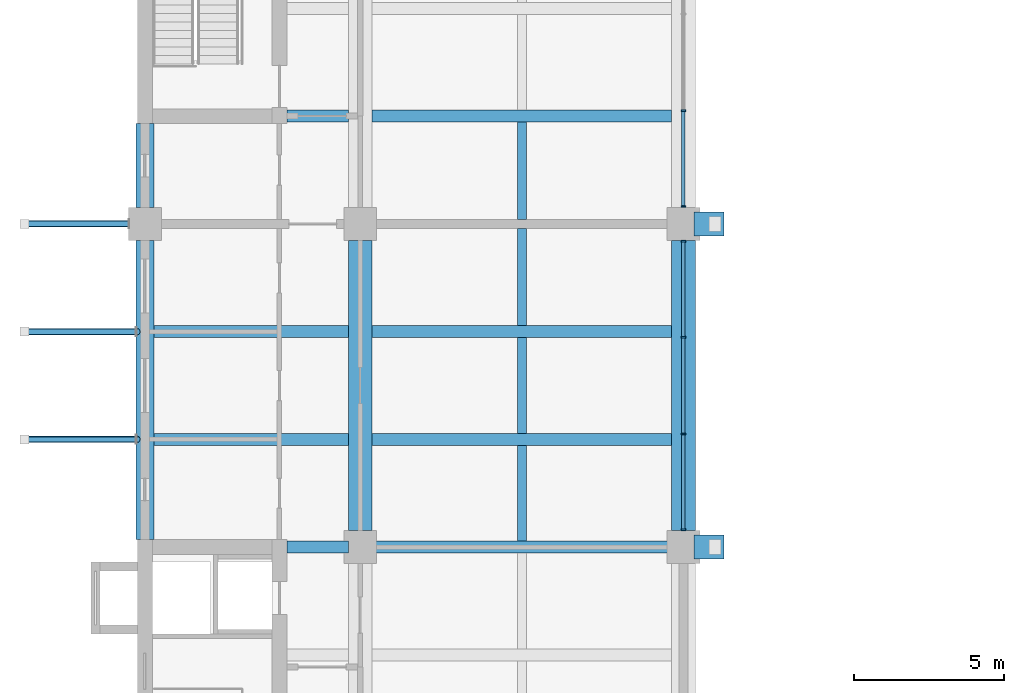
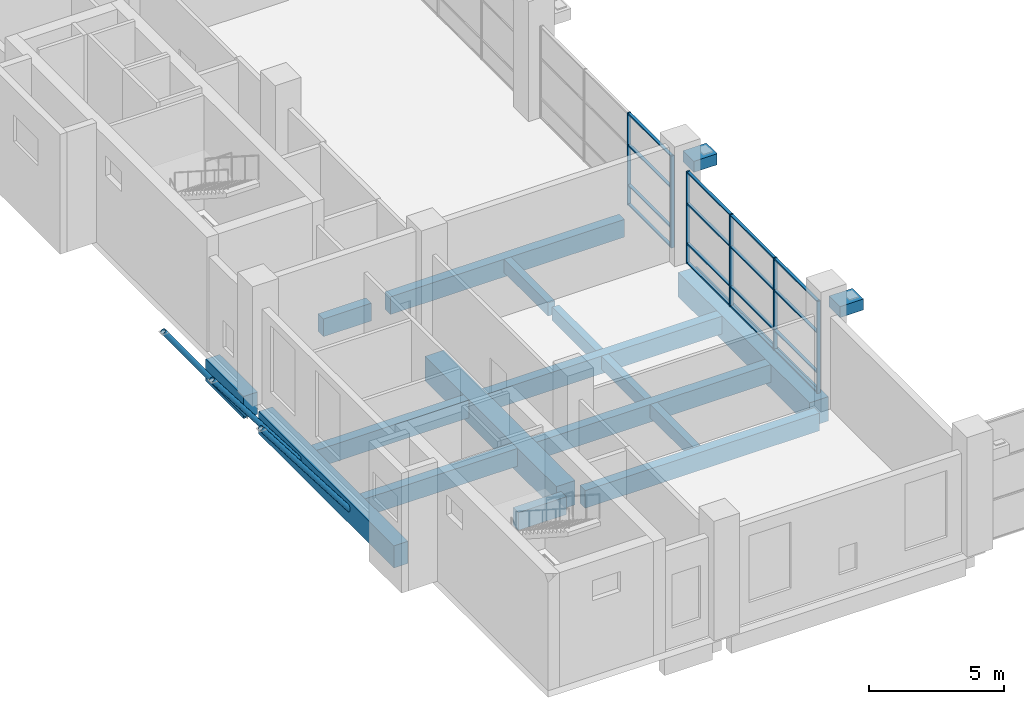
# One storey, part 3 of 38: 25 members, 18 beams, 2 elements without a shape of their own.
"""IFC4 building model written with IfcOpenShell, lengths in metres."""

import ifcopenshell
import ifcopenshell.guid

model = None  # the IFC model being written
_history = None  # IfcOwnerHistory: only IFC2X3 demands one
_inside = {}  # id of a spatial element -> (the spatial element, [elements in it])
_under = {}  # id of a project, library or spatial element -> (it, [spatial elements below it])
_declared = {}  # id of a project -> (the project, [libraries it declares])
_typed = {}  # id of a type object -> (the type object, [elements of that type])
_made_of = {}  # id of a material, layer set ... -> (it, [elements and type objects made of it])


def new_model(schema):
    """Start an empty IFC model of exactly this schema.

    Asked for "IFC4X3", IfcOpenShell would pick the latest addendum, in which some entities
    have other attributes; the version numbers below select the first issue.
    IFC2X3 requires an IfcOwnerHistory on every rooted entity: one is made here for all.
    """
    global model, _history
    if schema == "IFC4X3":
        model = ifcopenshell.file(schema_version=(4, 3, 0, 0))
    else:
        model = ifcopenshell.file(schema=schema)
    _inside.clear()
    _under.clear()
    _declared.clear()
    _typed.clear()
    _made_of.clear()
    _history = None
    if model.schema == "IFC2X3":
        org = make("IfcOrganization", Name="unknown")
        user = make(
            "IfcPersonAndOrganization",
            ThePerson=make("IfcPerson", FamilyName="unknown"),
            TheOrganization=org,
        )
        app = make(
            "IfcApplication",
            ApplicationDeveloper=org,
            Version="unknown",
            ApplicationFullName="unknown",
            ApplicationIdentifier="unknown",
        )
        _history = make(
            "IfcOwnerHistory",
            OwningUser=user,
            OwningApplication=app,
            ChangeAction="ADDED",
            CreationDate=0,
        )
    return model


def make(cls, **values):
    """One entity of the class cls with the attributes given. An attribute that is None is left unset."""
    return model.create_entity(
        cls, **{name: value for name, value in values.items() if value is not None}
    )


def rooted(cls, **values):
    """An entity with a GlobalId (a new one), such as an element, a storey or a relation."""
    return make(cls, GlobalId=ifcopenshell.guid.new(), OwnerHistory=_history, **values)


def si_unit(unit_type, name, prefix=None):
    """IfcSIUnit, for example si_unit("LENGTHUNIT", "METRE", prefix="MILLI")."""
    return make("IfcSIUnit", UnitType=unit_type, Prefix=prefix, Name=name)


def assignment(units):
    """IfcUnitAssignment: the units of a project."""
    return None if units is None else make("IfcUnitAssignment", Units=units)


def point(xyz):
    """IfcCartesianPoint."""
    return None if xyz is None else make("IfcCartesianPoint", Coordinates=xyz)


def direction(xyz):
    """IfcDirection."""
    return None if xyz is None else make("IfcDirection", DirectionRatios=xyz)


def frame(location, z_axis=None, x_axis=None):
    """IfcAxis2Placement3D, a coordinate frame: its origin and axes. An axis left out is left unset."""
    return make(
        "IfcAxis2Placement3D",
        Location=point(location),
        Axis=direction(z_axis),
        RefDirection=direction(x_axis),
    )


def frame_2d(location, x_axis=None):
    """IfcAxis2Placement2D, a coordinate frame in the plane: its origin and x axis."""
    return make(
        "IfcAxis2Placement2D", Location=point(location), RefDirection=direction(x_axis)
    )


def origin():
    """The frame at (0, 0, 0) with its axes left unset."""
    return frame((0.0, 0.0, 0.0))


def origin_2d():
    """The frame at (0, 0) in the plane with its x axis left unset."""
    return frame_2d((0.0, 0.0))


def place(relative_to, where):
    """IfcLocalPlacement: puts the frame where relative to a parent placement (None: the world)."""
    return make(
        "IfcLocalPlacement", PlacementRelTo=relative_to, RelativePlacement=where
    )


def context(
    kind, dimensions, precision=None, world=None, true_north=None, identifier=None
):
    """IfcGeometricRepresentationContext, for example the 3D "Model" context."""
    return make(
        "IfcGeometricRepresentationContext",
        ContextIdentifier=identifier,
        ContextType=kind,
        CoordinateSpaceDimension=dimensions,
        Precision=precision,
        WorldCoordinateSystem=world,
        TrueNorth=true_north,
    )


def subcontext(parent, identifier, kind, view, scale=None):
    """IfcGeometricRepresentationSubContext, for example "Body" below "Model"."""
    return make(
        "IfcGeometricRepresentationSubContext",
        ContextIdentifier=identifier,
        ContextType=kind,
        ParentContext=parent,
        TargetScale=scale,
        TargetView=view,
    )


def project(units=None, contexts=None):
    """IfcProject with its units and contexts."""
    return rooted(
        "IfcProject",
        Name="project",
        RepresentationContexts=contexts,
        UnitsInContext=assignment(units),
    )


def spatial(cls, under=None, at=None, **own):
    """A site, building, storey or space (cls), placed at a placement, below another one or the project."""
    s = rooted(cls, ObjectPlacement=at, **own)
    if under is not None:
        _under.setdefault(under.id(), (under, []))[1].append(s)
    return s


def profile(cls, at=None, kind="AREA", **sizes):
    """A parametric profile (cls). Its sizes go by their IFC names, for example OverallWidth=200.0."""
    return make(cls, ProfileType=kind, Position=at, **sizes)


def rectangle(**sizes):
    """IfcRectangleProfileDef."""
    return profile("IfcRectangleProfileDef", **sizes)


def hollow_circle(**sizes):
    """IfcCircleHollowProfileDef."""
    return profile("IfcCircleHollowProfileDef", **sizes)


def extrude(swept, where, along, depth):
    """IfcExtrudedAreaSolid: the profile swept, set in the frame where, extruded along a direction by depth."""
    return make(
        "IfcExtrudedAreaSolid",
        SweptArea=swept,
        Position=where,
        ExtrudedDirection=direction(along),
        Depth=depth,
    )


def shape(context_of_items, identifier, shape_type, items):
    """IfcShapeRepresentation: the items that make up one representation, for example the "Body"."""
    return make(
        "IfcShapeRepresentation",
        ContextOfItems=context_of_items,
        RepresentationIdentifier=identifier,
        RepresentationType=shape_type,
        Items=items,
    )


def material(Name=None, Category=None):
    """IfcMaterial."""
    return make("IfcMaterial", Name=Name, Category=Category)


def layer(
    of_material, thickness, ventilated=None, Name=None, Category=None, Priority=None
):
    """IfcMaterialLayer: one layer of a wall or slab, of a material (None: an air gap)."""
    return make(
        "IfcMaterialLayer",
        Material=of_material,
        LayerThickness=thickness,
        IsVentilated=ventilated,
        Name=Name,
        Category=Category,
        Priority=Priority,
    )


def layer_set(layers, Name=None):
    """IfcMaterialLayerSet."""
    return make("IfcMaterialLayerSet", MaterialLayers=layers, LayerSetName=Name)


def material_profile(
    of_material, cross_section, Name=None, Category=None, Priority=None
):
    """IfcMaterialProfile: a cross section and its material."""
    return make(
        "IfcMaterialProfile",
        Name=Name,
        Material=of_material,
        Profile=cross_section,
        Priority=Priority,
        Category=Category,
    )


def profile_set(profiles, Name=None, composite=None):
    """IfcMaterialProfileSet."""
    return make(
        "IfcMaterialProfileSet",
        Name=Name,
        MaterialProfiles=profiles,
        CompositeProfile=composite,
    )


def made_of(thing, what):
    """Note that an element or type object is made of a material, layer set ...; save() writes the relation."""
    if what is not None:
        _made_of.setdefault(what.id(), (what, []))[1].append(thing)
    return thing


def type_object(cls, material=None, **own):
    """A type object (cls), such as IfcWallType, which elements share."""
    return made_of(rooted(cls, **own), material)


def element(
    cls,
    number,
    at=None,
    inside=None,
    cuts=None,
    type_object=None,
    material=None,
    context=None,
    identifier="Body",
    shape_type=None,
    held_by="IfcProductDefinitionShape",
    body=None,
    shapes=None,
    **own,
):
    """One element of the class cls, such as IfcWall. Its Tag is "e" and its number.

    at: its placement. inside: the storey or other place that contains it. cuts: it is an
    opening in that element (IfcRelVoidsElement). A single representation is given by context,
    identifier, shape_type and body (its items); several are given by shapes. held_by: the class
    of the entity that holds the representations. save() writes the other relations.
    """
    e = rooted(cls, Tag="e%d" % number, ObjectPlacement=at, **own)
    if body is not None:
        shapes = [shape(context, identifier, shape_type, body)]
    if shapes is not None:
        e.Representation = make(held_by, Representations=shapes)
    if inside is not None:
        _inside.setdefault(inside.id(), (inside, []))[1].append(e)
    if cuts is not None:
        rooted(
            "IfcRelVoidsElement", RelatingBuildingElement=cuts, RelatedOpeningElement=e
        )
    if type_object is not None:
        _typed.setdefault(type_object.id(), (type_object, []))[1].append(e)
    return made_of(e, material)


def aggregate(whole, parts):
    """IfcRelAggregates: a whole, such as a stair, and the parts it consists of."""
    return rooted("IfcRelAggregates", RelatingObject=whole, RelatedObjects=parts)


def save(model, path):
    """Write the relations noted so far, then the file.

    IfcRelAggregates (storeys below a building ...), IfcRelContainedInSpatialStructure (elements
    in a storey), IfcRelDefinesByType, IfcRelAssociatesMaterial and IfcRelDeclares: one each for
    every whole, place, type object, material and project.
    """
    for whole, parts in _under.values():
        aggregate(whole, parts)
    for where, things in _inside.values():
        rooted(
            "IfcRelContainedInSpatialStructure",
            RelatedElements=things,
            RelatingStructure=where,
        )
    for kind, things in _typed.values():
        rooted("IfcRelDefinesByType", RelatedObjects=things, RelatingType=kind)
    for what, things in _made_of.values():
        rooted("IfcRelAssociatesMaterial", RelatedObjects=things, RelatingMaterial=what)
    for by, libraries in _declared.values():
        rooted("IfcRelDeclares", RelatingContext=by, RelatedDefinitions=libraries)
    model.write(path)


model = new_model("IFC4")

# Units and contexts
model_context = context("Model", 3, precision=1e-05, world=origin(), true_north=direction((0.0, 1.0)))
body_context = subcontext(model_context, "Body", "Model", "MODEL_VIEW")
ifc_project = project(units=[si_unit("LENGTHUNIT", "METRE"), si_unit("AREAUNIT", "SQUARE_METRE"), si_unit("VOLUMEUNIT", "CUBIC_METRE"), si_unit("PLANEANGLEUNIT", "RADIAN"), si_unit("MASSUNIT", "GRAM", prefix="KILO")], contexts=[model_context])

# Site, building, storey
site_placement = place(None, origin())
site = spatial("IfcSite", under=ifc_project, at=site_placement, CompositionType="ELEMENT")
building_placement = place(site_placement, origin())
building = spatial("IfcBuilding", under=site, at=building_placement, Name="Basin Gate Institute", CompositionType="ELEMENT")
storey_placement = place(building_placement, frame((0.0, 0.0, 16.800048828125)))
storey = spatial("IfcBuildingStorey", under=building, at=storey_placement, Name="L03", CompositionType="ELEMENT", Elevation=16.800048828125)

# Beams
ifc_material_1 = material(Name="Concrete 40 MPa", Category="concrete")
ifc_material_profile_1 = material_profile(ifc_material_1, rectangle(XDim=0.39990234375, YDim=0.800048828125, at=origin_2d()), Name="Beam B2 400 x 800")
ifc_profile_set_1 = profile_set([ifc_material_profile_1], Name="Concrete 40 MPa")
beam_type_1 = type_object("IfcBeamType", Name="Beam B2 R180", PredefinedType="BEAM", material=ifc_profile_set_1)
beam_1_placement = place(storey_placement, frame((68.800048828125, 45.89990234375, -0.699951171875), z_axis=(1.0, 0.0, 0.0), x_axis=(0.0, 1.0, 0.0)))
element("IfcBeam", 1, at=beam_1_placement, inside=storey, type_object=beam_type_1, material=ifc_profile_set_1, Name="BEAM/L03/W/EW/04", PredefinedType="BEAM", context=body_context, shape_type="SweptSolid", body=[
    extrude(rectangle(XDim=0.39990234375, YDim=0.800048828125, at=origin_2d()), origin(), (0.0, 0.0, 1.0), 10.0),
])
beam_2_placement = place(storey_placement, frame((65.949951171875, 45.89990234375, -0.699951171875), z_axis=(1.0, 0.0, 0.0), x_axis=(0.0, 1.0, 0.0)))
element("IfcBeam", 2, at=beam_2_placement, inside=storey, type_object=beam_type_1, material=ifc_profile_set_1, Name="BEAM/L03/W/CORR/04", PredefinedType="BEAM", context=body_context, shape_type="SweptSolid", body=[
    extrude(rectangle(XDim=0.39990234375, YDim=0.800048828125, at=origin_2d()), origin(), (0.0, 0.0, 1.0), 2.050048828125),
])
beam_3_placement = place(storey_placement, frame((68.800048828125, 49.5, -0.699951171875), z_axis=(1.0, 0.0, 0.0), x_axis=(0.0, 1.0, 0.0)))
element("IfcBeam", 3, at=beam_3_placement, inside=storey, type_object=beam_type_1, material=ifc_profile_set_1, Name="BEAM/L03/W/EW/05", PredefinedType="BEAM", context=body_context, shape_type="SweptSolid", body=[
    extrude(rectangle(XDim=0.39990234375, YDim=0.800048828125, at=origin_2d()), origin(), (0.0, 0.0, 1.0), 10.0),
])
beam_4_placement = place(storey_placement, frame((61.5, 49.5, -0.699951171875), z_axis=(1.0, 0.0, 0.0), x_axis=(0.0, 1.0, 0.0)))
element("IfcBeam", 4, at=beam_4_placement, inside=storey, type_object=beam_type_1, material=ifc_profile_set_1, Name="BEAM/L03/W/OUT/05", PredefinedType="BEAM", context=body_context, shape_type="SweptSolid", body=[
    extrude(rectangle(XDim=0.39990234375, YDim=0.800048828125, at=origin_2d()), origin(), (0.0, 0.0, 1.0), 6.5),
])
beam_5_placement = place(storey_placement, frame((68.800048828125, 53.10009765625, -0.699951171875), z_axis=(1.0, 0.0, 0.0), x_axis=(0.0, 1.0, 0.0)))
element("IfcBeam", 5, at=beam_5_placement, inside=storey, type_object=beam_type_1, material=ifc_profile_set_1, Name="BEAM/L03/W/EW/06", PredefinedType="BEAM", context=body_context, shape_type="SweptSolid", body=[
    extrude(rectangle(XDim=0.39990234375, YDim=0.800048828125, at=origin_2d()), origin(), (0.0, 0.0, 1.0), 10.0),
])
beam_6_placement = place(storey_placement, frame((61.5, 53.10009765625, -0.699951171875), z_axis=(1.0, 0.0, 0.0), x_axis=(0.0, 1.0, 0.0)))
element("IfcBeam", 6, at=beam_6_placement, inside=storey, type_object=beam_type_1, material=ifc_profile_set_1, Name="BEAM/L03/W/OUT/06", PredefinedType="BEAM", context=body_context, shape_type="SweptSolid", body=[
    extrude(rectangle(XDim=0.39990234375, YDim=0.800048828125, at=origin_2d()), origin(), (0.0, 0.0, 1.0), 6.5),
])
beam_7_placement = place(storey_placement, frame((68.800048828125, 60.300048828125, -0.699951171875), z_axis=(1.0, 0.0, 0.0), x_axis=(0.0, 1.0, 0.0)))
element("IfcBeam", 7, at=beam_7_placement, inside=storey, type_object=beam_type_1, material=ifc_profile_set_1, Name="BEAM/L03/W/EW/08", PredefinedType="BEAM", context=body_context, shape_type="SweptSolid", body=[
    extrude(rectangle(XDim=0.39990234375, YDim=0.800048828125, at=origin_2d()), origin(), (0.0, 0.0, 1.0), 10.0),
])
beam_8_placement = place(storey_placement, frame((65.949951171875, 60.300048828125, -0.699951171875), z_axis=(1.0, 0.0, 0.0), x_axis=(0.0, 1.0, 0.0)))
element("IfcBeam", 8, at=beam_8_placement, inside=storey, type_object=beam_type_1, material=ifc_profile_set_1, Name="BEAM/L03/W/CORR/08", PredefinedType="BEAM", context=body_context, shape_type="SweptSolid", body=[
    extrude(rectangle(XDim=0.39990234375, YDim=0.800048828125, at=origin_2d()), origin(), (0.0, 0.0, 1.0), 2.050048828125),
])
ifc_material_2 = material(Name="Concrete 40 MPa", Category="concrete")
ifc_material_profile_2 = material_profile(ifc_material_2, rectangle(XDim=0.800048828125, YDim=0.5, at=origin_2d()), Name="Beam CB1 800 x 500")
ifc_profile_set_2 = profile_set([ifc_material_profile_2], Name="Concrete 40 MPa")
beam_type_2 = type_object("IfcBeamType", Name="Beam CB1 R180", PredefinedType="BEAM", material=ifc_profile_set_2)
for number, where, z_axis, x_axis, name in (
    (9, (79.550048828125, 45.89990234375, 4.099853515625), (1.0, 0.0, 0.0), (0.0, 1.0, 0.0), "Atrium shell corbel R180 2W"),
    (10, (79.550048828125, 56.699951171875, 4.099853515625), (1.0, 0.0, 0.0), (0.0, 1.0, 0.0), "Atrium shell corbel R180 3W"),
):
    element("IfcBeam", number, at=place(storey_placement, frame(where, z_axis=z_axis, x_axis=x_axis)), inside=storey, type_object=beam_type_2, material=ifc_profile_set_2, Name=name, PredefinedType="BEAM", context=body_context, shape_type="SweptSolid", body=[
        extrude(rectangle(XDim=0.800048828125, YDim=0.5, at=origin_2d()), origin(), (0.0, 0.0, 1.0), 1.0),
    ])

# Members
ifc_material_3 = material(Name="Structural steel SN490", Category="steel")
ifc_material_profile_3 = material_profile(ifc_material_3, hollow_circle(Radius=0.109619140625, WallThickness=0.008056640625, at=origin_2d()), Name="CHS219x8")
ifc_profile_set_3 = profile_set([ifc_material_profile_3], Name="Structural steel SN490")
member_type_1 = type_object("IfcMemberType", Name="Capsule bracket TD3", PredefinedType="BRACE", material=ifc_profile_set_3)
for number, where, z_axis, x_axis, name in (
    (11, (60.949951171875, 49.5, -0.699951171875), (-0.605088195885, 0.0, 0.796158448552), (0.0, -1.0, 0.0), "Tray bracket W L04 tray 1.1"),
    (12, (60.949951171875, 53.10009765625, -0.699951171875), (-0.605088195885, 0.0, 0.796158448552), (0.0, -1.0, 0.0), "Tray bracket W L04 tray 1.2"),
):
    element("IfcMember", number, at=place(storey_placement, frame(where, z_axis=z_axis, x_axis=x_axis)), inside=storey, type_object=member_type_1, material=ifc_profile_set_3, Name=name, PredefinedType="BRACE", context=body_context, shape_type="SweptSolid", body=[
        extrude(hollow_circle(Radius=0.109619140625, WallThickness=0.008056640625, at=origin_2d()), origin(), (0.0, 0.0, 1.0), 6.2802734375),
    ])
member_1_placement = place(storey_placement, frame((60.699951171875, 56.699951171875, -0.699951171875), z_axis=(-0.578927213056, 0.0, 0.815379225871), x_axis=(0.0, -1.0, 0.0)))
element("IfcMember", 13, at=member_1_placement, inside=storey, type_object=member_type_1, material=ifc_profile_set_3, Name="Tray bracket W L04 tray 1.3", PredefinedType="BRACE", context=body_context, shape_type="SweptSolid", body=[
    extrude(hollow_circle(Radius=0.109619140625, WallThickness=0.008056640625, at=origin_2d()), origin(), (0.0, 0.0, 1.0), 6.132080078125),
])

# Beams
ifc_material_4 = material(Name="Concrete 50 MPa", Category="concrete")
ifc_material_profile_4 = material_profile(ifc_material_4, rectangle(XDim=0.60009765625, YDim=1.0, at=origin_2d()), Name="Edge beam EB2 600 x 1000")
ifc_profile_set_4 = profile_set([ifc_material_profile_4], Name="Concrete 50 MPa")
beam_type_3 = type_object("IfcBeamType", Name="Edge beam EB2 R180", PredefinedType="SPANDREL", material=ifc_profile_set_4)
beam_9_placement = place(storey_placement, frame((61.199951171875, 46.14990234375, -0.800048828125), z_axis=(0.0, 1.0, 0.0), x_axis=(-1.0, 0.0, 0.0)))
element("IfcBeam", 14, at=beam_9_placement, inside=storey, type_object=beam_type_3, material=ifc_profile_set_4, Name="BEAM/L03/W/EDGE/1", PredefinedType="SPANDREL", context=body_context, shape_type="SweptSolid", body=[
    extrude(rectangle(XDim=0.60009765625, YDim=1.0, at=origin_2d()), origin(), (0.0, 0.0, 1.0), 10.0),
])
ifc_material_5 = material(Name="Concrete 50 MPa", Category="concrete")
ifc_material_profile_5 = material_profile(ifc_material_5, rectangle(XDim=0.60009765625, YDim=1.0, at=origin_2d()), Name="Edge return beam EB4 600 x 1000")
ifc_profile_set_5 = profile_set([ifc_material_profile_5], Name="Concrete 50 MPa")
beam_type_4 = type_object("IfcBeamType", Name="Edge return beam EB4 R180", PredefinedType="SPANDREL", material=ifc_profile_set_5)
beam_10_placement = place(storey_placement, frame((61.199951171875, 57.25, -0.800048828125), z_axis=(0.0, 1.0, 0.0), x_axis=(-1.0, 0.0, 0.0)))
element("IfcBeam", 15, at=beam_10_placement, inside=storey, type_object=beam_type_4, material=ifc_profile_set_5, Name="BEAM/L03/W/EDGE/2", PredefinedType="SPANDREL", context=body_context, shape_type="SweptSolid", body=[
    extrude(rectangle(XDim=0.60009765625, YDim=1.0, at=origin_2d()), origin(), (0.0, 0.0, 1.0), 2.800048828125),
])
ifc_material_6 = material(Name="Concrete 50 MPa", Category="concrete")
ifc_material_profile_6 = material_profile(ifc_material_6, rectangle(XDim=0.800048828125, YDim=1.10009765625, at=origin_2d()), Name="Girder G2 800 x 1100")
ifc_profile_set_6 = profile_set([ifc_material_profile_6], Name="Concrete 50 MPa")
beam_type_5 = type_object("IfcBeamType", Name="Girder G2 R180", PredefinedType="BEAM", material=ifc_profile_set_6)
for number, where, z_axis, x_axis, name in (
    (16, (68.39990234375, 46.449951171875, -0.85009765625), (0.0, 1.0, 0.0), (-1.0, 0.0, 0.0), "GIR/L03/W5/2"),
    (17, (79.199951171875, 46.449951171875, -0.85009765625), (0.0, 1.0, 0.0), (-1.0, 0.0, 0.0), "GIR/L03/W6/2"),
):
    element("IfcBeam", number, at=place(storey_placement, frame(where, z_axis=z_axis, x_axis=x_axis)), inside=storey, type_object=beam_type_5, material=ifc_profile_set_6, Name=name, PredefinedType="BEAM", context=body_context, shape_type="SweptSolid", body=[
        extrude(rectangle(XDim=0.800048828125, YDim=1.10009765625, at=origin_2d()), origin(), (0.0, 0.0, 1.0), 9.699951171875),
    ])

# Curtain wall, members
ifc_material_7 = material(Name="Fire-resistant glazing in steel-free frame", Category="steel")
ifc_layer = layer(ifc_material_7, 0.199951171875)
ifc_layer_set = layer_set([ifc_layer], Name="Fire-resistant glazing in steel-free frame")
curtain_wall_type = type_object("IfcCurtainWallType", Name="Atrium rated curtain wall CW3", PredefinedType="NOTDEFINED", material=ifc_layer_set)
curtain_wall_1_placement = place(storey_placement, origin())
curtain_wall_1 = element("IfcCurtainWall", 18, at=curtain_wall_1_placement, inside=storey, type_object=curtain_wall_type, material=ifc_layer_set, Name="Atrium rated curtain wall W wing atrium bay 2 L03", PredefinedType="NOTDEFINED")
ifc_material_8 = material(Name="Aluminium", Category="aluminium")
ifc_material_profile_7 = material_profile(ifc_material_8, rectangle(XDim=0.14990234375, YDim=0.06005859375, at=origin_2d()), Name="Mullion MU3 150 x 60")
ifc_profile_set_7 = profile_set([ifc_material_profile_7], Name="Aluminium")
member_type_2 = type_object("IfcMemberType", Name="Mullion MU3", PredefinedType="MULLION", material=ifc_profile_set_7)
member_2_placement = place(storey_placement, frame((79.199951171875, 46.47998046875, 0.0), z_axis=(0.0, 0.0, 1.0), x_axis=(-1.0, 0.0, 0.0)))
member_2 = element("IfcMember", 19, at=member_2_placement, type_object=member_type_2, material=ifc_profile_set_7, Name="CW3 mullion 1", PredefinedType="MULLION", context=body_context, shape_type="SweptSolid", body=[
    extrude(rectangle(XDim=0.14990234375, YDim=0.06005859375, at=origin_2d()), origin(), (0.0, 0.0, 1.0), 4.14990234375),
])
member_3_placement = place(storey_placement, frame((79.199951171875, 49.683349609375, 0.0), z_axis=(0.0, 0.0, 1.0), x_axis=(-1.0, 0.0, 0.0)))
member_3 = element("IfcMember", 20, at=member_3_placement, type_object=member_type_2, material=ifc_profile_set_7, Name="CW3 mullion 2", PredefinedType="MULLION", context=body_context, shape_type="SweptSolid", body=[
    extrude(rectangle(XDim=0.14990234375, YDim=0.06005859375, at=origin_2d()), origin(), (0.0, 0.0, 1.0), 4.14990234375),
])
member_4_placement = place(storey_placement, frame((79.199951171875, 52.916748046875, 0.0), z_axis=(0.0, 0.0, 1.0), x_axis=(-1.0, 0.0, 0.0)))
member_4 = element("IfcMember", 21, at=member_4_placement, type_object=member_type_2, material=ifc_profile_set_7, Name="CW3 mullion 3", PredefinedType="MULLION", context=body_context, shape_type="SweptSolid", body=[
    extrude(rectangle(XDim=0.14990234375, YDim=0.06005859375, at=origin_2d()), origin(), (0.0, 0.0, 1.0), 4.14990234375),
])
member_5_placement = place(storey_placement, frame((79.199951171875, 56.1201171875, 0.0), z_axis=(0.0, 0.0, 1.0), x_axis=(-1.0, 0.0, 0.0)))
member_5 = element("IfcMember", 22, at=member_5_placement, type_object=member_type_2, material=ifc_profile_set_7, Name="CW3 mullion 4", PredefinedType="MULLION", context=body_context, shape_type="SweptSolid", body=[
    extrude(rectangle(XDim=0.14990234375, YDim=0.06005859375, at=origin_2d()), origin(), (0.0, 0.0, 1.0), 4.14990234375),
])

curtain_wall_2_placement = place(storey_placement, origin())
curtain_wall_2 = element("IfcCurtainWall", 23, at=curtain_wall_2_placement, inside=storey, type_object=curtain_wall_type, material=ifc_layer_set, Name="Atrium rated curtain wall W wing atrium bay 3 L03", PredefinedType="NOTDEFINED")
member_6_placement = place(storey_placement, frame((79.199951171875, 57.280029296875, 0.0), z_axis=(0.0, 0.0, 1.0), x_axis=(-1.0, 0.0, 0.0)))
member_6 = element("IfcMember", 24, at=member_6_placement, type_object=member_type_2, material=ifc_profile_set_7, Name="CW3 mullion 1", PredefinedType="MULLION", context=body_context, shape_type="SweptSolid", body=[
    extrude(rectangle(XDim=0.14990234375, YDim=0.06005859375, at=origin_2d()), origin(), (0.0, 0.0, 1.0), 4.14990234375),
])
member_7_placement = place(storey_placement, frame((79.199951171875, 60.4833984375, 0.0), z_axis=(0.0, 0.0, 1.0), x_axis=(-1.0, 0.0, 0.0)))
member_7 = element("IfcMember", 25, at=member_7_placement, type_object=member_type_2, material=ifc_profile_set_7, Name="CW3 mullion 2", PredefinedType="MULLION", context=body_context, shape_type="SweptSolid", body=[
    extrude(rectangle(XDim=0.14990234375, YDim=0.06005859375, at=origin_2d()), origin(), (0.0, 0.0, 1.0), 4.14990234375),
])

# Beams
ifc_material_9 = material(Name="Concrete 40 MPa", Category="concrete")
ifc_material_profile_8 = material_profile(ifc_material_9, rectangle(XDim=0.300048828125, YDim=0.60009765625, at=origin_2d()), Name="Rib R2 300 x 600")
ifc_profile_set_8 = profile_set([ifc_material_profile_8], Name="Concrete 40 MPa")
beam_type_6 = type_object("IfcBeamType", Name="Rib R2 R180", PredefinedType="JOIST", material=ifc_profile_set_8)
for number, where, z_axis, x_axis, name in (
    (26, (73.800048828125, 46.10009765625, -0.60009765625), (0.0, 1.0, 0.0), (-1.0, 0.0, 0.0), "BEAM/L03/W/RIB/04"),
    (27, (73.800048828125, 49.699951171875, -0.60009765625), (0.0, 1.0, 0.0), (-1.0, 0.0, 0.0), "BEAM/L03/W/RIB/05"),
):
    element("IfcBeam", number, at=place(storey_placement, frame(where, z_axis=z_axis, x_axis=x_axis)), inside=storey, type_object=beam_type_6, material=ifc_profile_set_8, Name=name, PredefinedType="JOIST", context=body_context, shape_type="SweptSolid", body=[
        extrude(rectangle(XDim=0.300048828125, YDim=0.60009765625, at=origin_2d()), origin(), (0.0, 0.0, 1.0), 3.199951171875),
    ])
for number, where, z_axis, x_axis, name in (
    (28, (73.800048828125, 53.300048828125, -0.60009765625), (0.0, 1.0, 0.0), (-1.0, 0.0, 0.0), "BEAM/L03/W/RIB/06"),
    (29, (73.800048828125, 56.85009765625, -0.60009765625), (0.0, 1.0, 0.0), (-1.0, 0.0, 0.0), "BEAM/L03/W/RIB/07"),
):
    element("IfcBeam", number, at=place(storey_placement, frame(where, z_axis=z_axis, x_axis=x_axis)), inside=storey, type_object=beam_type_6, material=ifc_profile_set_8, Name=name, PredefinedType="JOIST", context=body_context, shape_type="SweptSolid", body=[
        extrude(rectangle(XDim=0.300048828125, YDim=0.60009765625, at=origin_2d()), origin(), (0.0, 0.0, 1.0), 3.25),
    ])

# Member
ifc_material_10 = material(Name="Aluminium", Category="aluminium")
ifc_material_profile_9 = material_profile(ifc_material_10, rectangle(XDim=0.1201171875, YDim=0.06005859375, at=origin_2d()), Name="Transom TR3 120 x 60")
ifc_profile_set_9 = profile_set([ifc_material_profile_9], Name="Aluminium")
member_type_3 = type_object("IfcMemberType", Name="Transom TR3", PredefinedType="USERDEFINED", material=ifc_profile_set_9)
member_8_placement = place(storey_placement, frame((79.199951171875, 46.510009765625, 0.030029296875), z_axis=(0.0, 1.0, 0.0), x_axis=(-1.0, 0.0, 0.0)))
member_8 = element("IfcMember", 30, at=member_8_placement, type_object=member_type_3, material=ifc_profile_set_9, Name="CW3 transom 1.1", ObjectType="TRANSOM", PredefinedType="USERDEFINED", context=body_context, shape_type="SweptSolid", body=[
    extrude(rectangle(XDim=0.1201171875, YDim=0.06005859375, at=origin_2d()), origin(), (0.0, 0.0, 1.0), 3.143310546875),
])

member_9_placement = place(storey_placement, frame((79.199951171875, 46.510009765625, 0.89990234375), z_axis=(0.0, 1.0, 0.0), x_axis=(-1.0, 0.0, 0.0)))
member_9 = element("IfcMember", 31, at=member_9_placement, type_object=member_type_3, material=ifc_profile_set_9, Name="CW3 transom 1.2", ObjectType="TRANSOM", PredefinedType="USERDEFINED", context=body_context, shape_type="SweptSolid", body=[
    extrude(rectangle(XDim=0.1201171875, YDim=0.06005859375, at=origin_2d()), origin(), (0.0, 0.0, 1.0), 3.143310546875),
])

member_10_placement = place(storey_placement, frame((79.199951171875, 46.510009765625, 2.699951171875), z_axis=(0.0, 1.0, 0.0), x_axis=(-1.0, 0.0, 0.0)))
member_10 = element("IfcMember", 32, at=member_10_placement, type_object=member_type_3, material=ifc_profile_set_9, Name="CW3 transom 1.3", ObjectType="TRANSOM", PredefinedType="USERDEFINED", context=body_context, shape_type="SweptSolid", body=[
    extrude(rectangle(XDim=0.1201171875, YDim=0.06005859375, at=origin_2d()), origin(), (0.0, 0.0, 1.0), 3.143310546875),
])

member_11_placement = place(storey_placement, frame((79.199951171875, 46.510009765625, 4.119873046875), z_axis=(0.0, 1.0, 0.0), x_axis=(-1.0, 0.0, 0.0)))
member_11 = element("IfcMember", 33, at=member_11_placement, type_object=member_type_3, material=ifc_profile_set_9, Name="CW3 transom 1.4", ObjectType="TRANSOM", PredefinedType="USERDEFINED", context=body_context, shape_type="SweptSolid", body=[
    extrude(rectangle(XDim=0.1201171875, YDim=0.06005859375, at=origin_2d()), origin(), (0.0, 0.0, 1.0), 3.143310546875),
])

member_12_placement = place(storey_placement, frame((79.199951171875, 49.71337890625, 0.030029296875), z_axis=(0.0, 1.0, 0.0), x_axis=(-1.0, 0.0, 0.0)))
member_12 = element("IfcMember", 34, at=member_12_placement, type_object=member_type_3, material=ifc_profile_set_9, Name="CW3 transom 2.1", ObjectType="TRANSOM", PredefinedType="USERDEFINED", context=body_context, shape_type="SweptSolid", body=[
    extrude(rectangle(XDim=0.1201171875, YDim=0.06005859375, at=origin_2d()), origin(), (0.0, 0.0, 1.0), 3.17333984375),
])

member_13_placement = place(storey_placement, frame((79.199951171875, 49.71337890625, 0.89990234375), z_axis=(0.0, 1.0, 0.0), x_axis=(-1.0, 0.0, 0.0)))
member_13 = element("IfcMember", 35, at=member_13_placement, type_object=member_type_3, material=ifc_profile_set_9, Name="CW3 transom 2.2", ObjectType="TRANSOM", PredefinedType="USERDEFINED", context=body_context, shape_type="SweptSolid", body=[
    extrude(rectangle(XDim=0.1201171875, YDim=0.06005859375, at=origin_2d()), origin(), (0.0, 0.0, 1.0), 3.17333984375),
])

member_14_placement = place(storey_placement, frame((79.199951171875, 49.71337890625, 2.699951171875), z_axis=(0.0, 1.0, 0.0), x_axis=(-1.0, 0.0, 0.0)))
member_14 = element("IfcMember", 36, at=member_14_placement, type_object=member_type_3, material=ifc_profile_set_9, Name="CW3 transom 2.3", ObjectType="TRANSOM", PredefinedType="USERDEFINED", context=body_context, shape_type="SweptSolid", body=[
    extrude(rectangle(XDim=0.1201171875, YDim=0.06005859375, at=origin_2d()), origin(), (0.0, 0.0, 1.0), 3.17333984375),
])

member_15_placement = place(storey_placement, frame((79.199951171875, 49.71337890625, 4.119873046875), z_axis=(0.0, 1.0, 0.0), x_axis=(-1.0, 0.0, 0.0)))
member_15 = element("IfcMember", 37, at=member_15_placement, type_object=member_type_3, material=ifc_profile_set_9, Name="CW3 transom 2.4", ObjectType="TRANSOM", PredefinedType="USERDEFINED", context=body_context, shape_type="SweptSolid", body=[
    extrude(rectangle(XDim=0.1201171875, YDim=0.06005859375, at=origin_2d()), origin(), (0.0, 0.0, 1.0), 3.17333984375),
])

member_16_placement = place(storey_placement, frame((79.199951171875, 52.94677734375, 0.030029296875), z_axis=(0.0, 1.0, 0.0), x_axis=(-1.0, 0.0, 0.0)))
member_16 = element("IfcMember", 38, at=member_16_placement, type_object=member_type_3, material=ifc_profile_set_9, Name="CW3 transom 3.1", ObjectType="TRANSOM", PredefinedType="USERDEFINED", context=body_context, shape_type="SweptSolid", body=[
    extrude(rectangle(XDim=0.1201171875, YDim=0.06005859375, at=origin_2d()), origin(), (0.0, 0.0, 1.0), 3.143310546875),
])

member_17_placement = place(storey_placement, frame((79.199951171875, 52.94677734375, 0.89990234375), z_axis=(0.0, 1.0, 0.0), x_axis=(-1.0, 0.0, 0.0)))
member_17 = element("IfcMember", 39, at=member_17_placement, type_object=member_type_3, material=ifc_profile_set_9, Name="CW3 transom 3.2", ObjectType="TRANSOM", PredefinedType="USERDEFINED", context=body_context, shape_type="SweptSolid", body=[
    extrude(rectangle(XDim=0.1201171875, YDim=0.06005859375, at=origin_2d()), origin(), (0.0, 0.0, 1.0), 3.143310546875),
])

member_18_placement = place(storey_placement, frame((79.199951171875, 52.94677734375, 2.699951171875), z_axis=(0.0, 1.0, 0.0), x_axis=(-1.0, 0.0, 0.0)))
member_18 = element("IfcMember", 40, at=member_18_placement, type_object=member_type_3, material=ifc_profile_set_9, Name="CW3 transom 3.3", ObjectType="TRANSOM", PredefinedType="USERDEFINED", context=body_context, shape_type="SweptSolid", body=[
    extrude(rectangle(XDim=0.1201171875, YDim=0.06005859375, at=origin_2d()), origin(), (0.0, 0.0, 1.0), 3.143310546875),
])

member_19_placement = place(storey_placement, frame((79.199951171875, 52.94677734375, 4.119873046875), z_axis=(0.0, 1.0, 0.0), x_axis=(-1.0, 0.0, 0.0)))
member_19 = element("IfcMember", 41, at=member_19_placement, type_object=member_type_3, material=ifc_profile_set_9, Name="CW3 transom 3.4", ObjectType="TRANSOM", PredefinedType="USERDEFINED", context=body_context, shape_type="SweptSolid", body=[
    extrude(rectangle(XDim=0.1201171875, YDim=0.06005859375, at=origin_2d()), origin(), (0.0, 0.0, 1.0), 3.143310546875),
])

aggregate(curtain_wall_1, [member_2, member_3, member_4, member_5, member_8, member_9, member_10, member_11, member_12, member_13, member_14, member_15, member_16, member_17, member_18, member_19])

member_20_placement = place(storey_placement, frame((79.199951171875, 57.31005859375, 0.030029296875), z_axis=(0.0, 1.0, 0.0), x_axis=(-1.0, 0.0, 0.0)))
member_20 = element("IfcMember", 42, at=member_20_placement, type_object=member_type_3, material=ifc_profile_set_9, Name="CW3 transom 1.1", ObjectType="TRANSOM", PredefinedType="USERDEFINED", context=body_context, shape_type="SweptSolid", body=[
    extrude(rectangle(XDim=0.1201171875, YDim=0.06005859375, at=origin_2d()), origin(), (0.0, 0.0, 1.0), 3.143310546875),
])

member_21_placement = place(storey_placement, frame((79.199951171875, 57.31005859375, 0.89990234375), z_axis=(0.0, 1.0, 0.0), x_axis=(-1.0, 0.0, 0.0)))
member_21 = element("IfcMember", 43, at=member_21_placement, type_object=member_type_3, material=ifc_profile_set_9, Name="CW3 transom 1.2", ObjectType="TRANSOM", PredefinedType="USERDEFINED", context=body_context, shape_type="SweptSolid", body=[
    extrude(rectangle(XDim=0.1201171875, YDim=0.06005859375, at=origin_2d()), origin(), (0.0, 0.0, 1.0), 3.143310546875),
])

member_22_placement = place(storey_placement, frame((79.199951171875, 57.31005859375, 2.699951171875), z_axis=(0.0, 1.0, 0.0), x_axis=(-1.0, 0.0, 0.0)))
member_22 = element("IfcMember", 44, at=member_22_placement, type_object=member_type_3, material=ifc_profile_set_9, Name="CW3 transom 1.3", ObjectType="TRANSOM", PredefinedType="USERDEFINED", context=body_context, shape_type="SweptSolid", body=[
    extrude(rectangle(XDim=0.1201171875, YDim=0.06005859375, at=origin_2d()), origin(), (0.0, 0.0, 1.0), 3.143310546875),
])

member_23_placement = place(storey_placement, frame((79.199951171875, 57.31005859375, 4.119873046875), z_axis=(0.0, 1.0, 0.0), x_axis=(-1.0, 0.0, 0.0)))
member_23 = element("IfcMember", 45, at=member_23_placement, type_object=member_type_3, material=ifc_profile_set_9, Name="CW3 transom 1.4", ObjectType="TRANSOM", PredefinedType="USERDEFINED", context=body_context, shape_type="SweptSolid", body=[
    extrude(rectangle(XDim=0.1201171875, YDim=0.06005859375, at=origin_2d()), origin(), (0.0, 0.0, 1.0), 3.143310546875),
])

aggregate(curtain_wall_2, [member_6, member_7, member_20, member_21, member_22, member_23])

save(model, "model.ifc")
